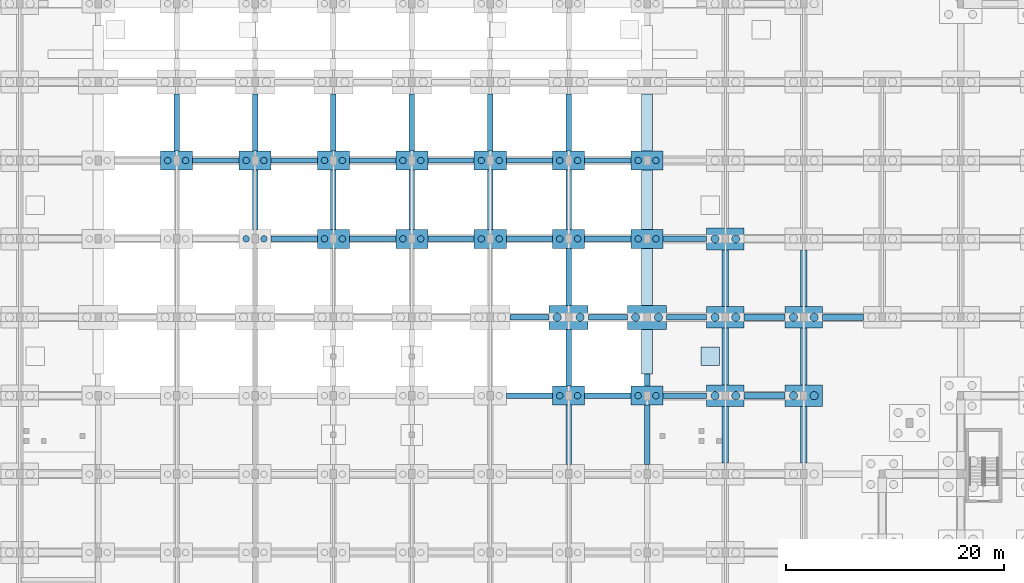
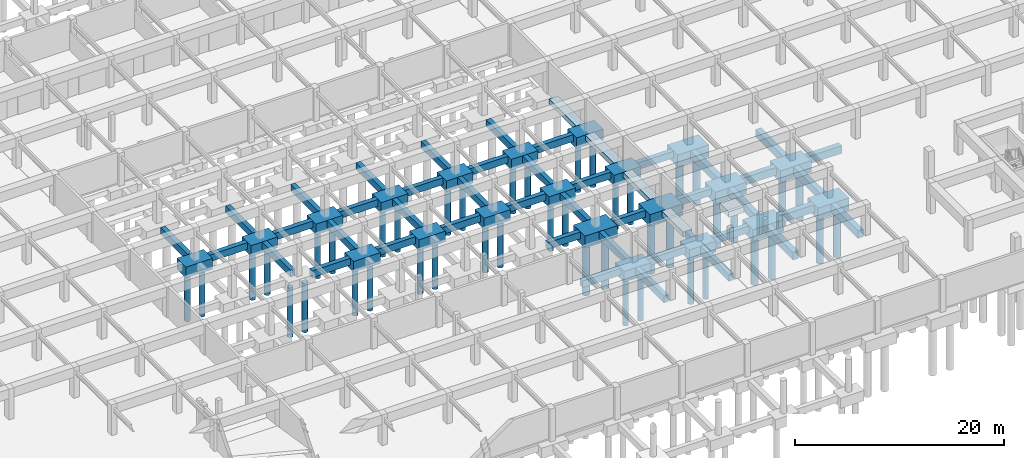
# One storey, part 6 of 36: 69 footings, 44 piles.
"""IFC4 building model written with IfcOpenShell, lengths in metres."""

import ifcopenshell
import ifcopenshell.guid

model = None  # the IFC model being written
_history = None  # IfcOwnerHistory: only IFC2X3 demands one
_inside = {}  # id of a spatial element -> (the spatial element, [elements in it])
_under = {}  # id of a project, library or spatial element -> (it, [spatial elements below it])
_declared = {}  # id of a project -> (the project, [libraries it declares])
_typed = {}  # id of a type object -> (the type object, [elements of that type])
_made_of = {}  # id of a material, layer set ... -> (it, [elements and type objects made of it])


def new_model(schema):
    """Start an empty IFC model of exactly this schema.

    Asked for "IFC4X3", IfcOpenShell would pick the latest addendum, in which some entities
    have other attributes; the version numbers below select the first issue.
    IFC2X3 requires an IfcOwnerHistory on every rooted entity: one is made here for all.
    """
    global model, _history
    if schema == "IFC4X3":
        model = ifcopenshell.file(schema_version=(4, 3, 0, 0))
    else:
        model = ifcopenshell.file(schema=schema)
    _inside.clear()
    _under.clear()
    _declared.clear()
    _typed.clear()
    _made_of.clear()
    _history = None
    if model.schema == "IFC2X3":
        org = make("IfcOrganization", Name="unknown")
        user = make(
            "IfcPersonAndOrganization",
            ThePerson=make("IfcPerson", FamilyName="unknown"),
            TheOrganization=org,
        )
        app = make(
            "IfcApplication",
            ApplicationDeveloper=org,
            Version="unknown",
            ApplicationFullName="unknown",
            ApplicationIdentifier="unknown",
        )
        _history = make(
            "IfcOwnerHistory",
            OwningUser=user,
            OwningApplication=app,
            ChangeAction="ADDED",
            CreationDate=0,
        )
    return model


def make(cls, **values):
    """One entity of the class cls with the attributes given. An attribute that is None is left unset."""
    return model.create_entity(
        cls, **{name: value for name, value in values.items() if value is not None}
    )


def rooted(cls, **values):
    """An entity with a GlobalId (a new one), such as an element, a storey or a relation."""
    return make(cls, GlobalId=ifcopenshell.guid.new(), OwnerHistory=_history, **values)


def si_unit(unit_type, name, prefix=None):
    """IfcSIUnit, for example si_unit("LENGTHUNIT", "METRE", prefix="MILLI")."""
    return make("IfcSIUnit", UnitType=unit_type, Prefix=prefix, Name=name)


def assignment(units):
    """IfcUnitAssignment: the units of a project."""
    return None if units is None else make("IfcUnitAssignment", Units=units)


def point(xyz):
    """IfcCartesianPoint."""
    return None if xyz is None else make("IfcCartesianPoint", Coordinates=xyz)


def direction(xyz):
    """IfcDirection."""
    return None if xyz is None else make("IfcDirection", DirectionRatios=xyz)


def frame(location, z_axis=None, x_axis=None):
    """IfcAxis2Placement3D, a coordinate frame: its origin and axes. An axis left out is left unset."""
    return make(
        "IfcAxis2Placement3D",
        Location=point(location),
        Axis=direction(z_axis),
        RefDirection=direction(x_axis),
    )


def frame_2d(location, x_axis=None):
    """IfcAxis2Placement2D, a coordinate frame in the plane: its origin and x axis."""
    return make(
        "IfcAxis2Placement2D", Location=point(location), RefDirection=direction(x_axis)
    )


def origin():
    """The frame at (0, 0, 0) with its axes left unset."""
    return frame((0.0, 0.0, 0.0))


def origin_2d():
    """The frame at (0, 0) in the plane with its x axis left unset."""
    return frame_2d((0.0, 0.0))


def place(relative_to, where):
    """IfcLocalPlacement: puts the frame where relative to a parent placement (None: the world)."""
    return make(
        "IfcLocalPlacement", PlacementRelTo=relative_to, RelativePlacement=where
    )


def context(
    kind, dimensions, precision=None, world=None, true_north=None, identifier=None
):
    """IfcGeometricRepresentationContext, for example the 3D "Model" context."""
    return make(
        "IfcGeometricRepresentationContext",
        ContextIdentifier=identifier,
        ContextType=kind,
        CoordinateSpaceDimension=dimensions,
        Precision=precision,
        WorldCoordinateSystem=world,
        TrueNorth=true_north,
    )


def subcontext(parent, identifier, kind, view, scale=None):
    """IfcGeometricRepresentationSubContext, for example "Body" below "Model"."""
    return make(
        "IfcGeometricRepresentationSubContext",
        ContextIdentifier=identifier,
        ContextType=kind,
        ParentContext=parent,
        TargetScale=scale,
        TargetView=view,
    )


def project(units=None, contexts=None):
    """IfcProject with its units and contexts."""
    return rooted(
        "IfcProject",
        Name="project",
        RepresentationContexts=contexts,
        UnitsInContext=assignment(units),
    )


def spatial(cls, under=None, at=None, **own):
    """A site, building, storey or space (cls), placed at a placement, below another one or the project."""
    s = rooted(cls, ObjectPlacement=at, **own)
    if under is not None:
        _under.setdefault(under.id(), (under, []))[1].append(s)
    return s


def profile(cls, at=None, kind="AREA", **sizes):
    """A parametric profile (cls). Its sizes go by their IFC names, for example OverallWidth=200.0."""
    return make(cls, ProfileType=kind, Position=at, **sizes)


def rectangle(**sizes):
    """IfcRectangleProfileDef."""
    return profile("IfcRectangleProfileDef", **sizes)


def circle(**sizes):
    """IfcCircleProfileDef."""
    return profile("IfcCircleProfileDef", **sizes)


def extrude(swept, where, along, depth):
    """IfcExtrudedAreaSolid: the profile swept, set in the frame where, extruded along a direction by depth."""
    return make(
        "IfcExtrudedAreaSolid",
        SweptArea=swept,
        Position=where,
        ExtrudedDirection=direction(along),
        Depth=depth,
    )


def shape(context_of_items, identifier, shape_type, items):
    """IfcShapeRepresentation: the items that make up one representation, for example the "Body"."""
    return make(
        "IfcShapeRepresentation",
        ContextOfItems=context_of_items,
        RepresentationIdentifier=identifier,
        RepresentationType=shape_type,
        Items=items,
    )


def material(Name=None, Category=None):
    """IfcMaterial."""
    return make("IfcMaterial", Name=Name, Category=Category)


def material_profile(
    of_material, cross_section, Name=None, Category=None, Priority=None
):
    """IfcMaterialProfile: a cross section and its material."""
    return make(
        "IfcMaterialProfile",
        Name=Name,
        Material=of_material,
        Profile=cross_section,
        Priority=Priority,
        Category=Category,
    )


def profile_set(profiles, Name=None, composite=None):
    """IfcMaterialProfileSet."""
    return make(
        "IfcMaterialProfileSet",
        Name=Name,
        MaterialProfiles=profiles,
        CompositeProfile=composite,
    )


def made_of(thing, what):
    """Note that an element or type object is made of a material, layer set ...; save() writes the relation."""
    if what is not None:
        _made_of.setdefault(what.id(), (what, []))[1].append(thing)
    return thing


def type_object(cls, material=None, **own):
    """A type object (cls), such as IfcWallType, which elements share."""
    return made_of(rooted(cls, **own), material)


def element(
    cls,
    number,
    at=None,
    inside=None,
    cuts=None,
    type_object=None,
    material=None,
    context=None,
    identifier="Body",
    shape_type=None,
    held_by="IfcProductDefinitionShape",
    body=None,
    shapes=None,
    **own,
):
    """One element of the class cls, such as IfcWall. Its Tag is "e" and its number.

    at: its placement. inside: the storey or other place that contains it. cuts: it is an
    opening in that element (IfcRelVoidsElement). A single representation is given by context,
    identifier, shape_type and body (its items); several are given by shapes. held_by: the class
    of the entity that holds the representations. save() writes the other relations.
    """
    e = rooted(cls, Tag="e%d" % number, ObjectPlacement=at, **own)
    if body is not None:
        shapes = [shape(context, identifier, shape_type, body)]
    if shapes is not None:
        e.Representation = make(held_by, Representations=shapes)
    if inside is not None:
        _inside.setdefault(inside.id(), (inside, []))[1].append(e)
    if cuts is not None:
        rooted(
            "IfcRelVoidsElement", RelatingBuildingElement=cuts, RelatedOpeningElement=e
        )
    if type_object is not None:
        _typed.setdefault(type_object.id(), (type_object, []))[1].append(e)
    return made_of(e, material)


def aggregate(whole, parts):
    """IfcRelAggregates: a whole, such as a stair, and the parts it consists of."""
    return rooted("IfcRelAggregates", RelatingObject=whole, RelatedObjects=parts)


def save(model, path):
    """Write the relations noted so far, then the file.

    IfcRelAggregates (storeys below a building ...), IfcRelContainedInSpatialStructure (elements
    in a storey), IfcRelDefinesByType, IfcRelAssociatesMaterial and IfcRelDeclares: one each for
    every whole, place, type object, material and project.
    """
    for whole, parts in _under.values():
        aggregate(whole, parts)
    for where, things in _inside.values():
        rooted(
            "IfcRelContainedInSpatialStructure",
            RelatedElements=things,
            RelatingStructure=where,
        )
    for kind, things in _typed.values():
        rooted("IfcRelDefinesByType", RelatedObjects=things, RelatingType=kind)
    for what, things in _made_of.values():
        rooted("IfcRelAssociatesMaterial", RelatedObjects=things, RelatingMaterial=what)
    for by, libraries in _declared.values():
        rooted("IfcRelDeclares", RelatingContext=by, RelatedDefinitions=libraries)
    model.write(path)


model = new_model("IFC4")

# Units and contexts
model_context = context("Model", 3, precision=1e-05, world=origin(), true_north=direction((0.0, 1.0)))
body_context = subcontext(model_context, "Body", "Model", "MODEL_VIEW")
ifc_project = project(units=[si_unit("LENGTHUNIT", "METRE"), si_unit("AREAUNIT", "SQUARE_METRE"), si_unit("VOLUMEUNIT", "CUBIC_METRE"), si_unit("PLANEANGLEUNIT", "RADIAN"), si_unit("MASSUNIT", "GRAM", prefix="KILO")], contexts=[model_context])

# Site, building, storey
site_placement = place(None, origin())
site = spatial("IfcSite", under=ifc_project, at=site_placement, CompositionType="ELEMENT")
building_placement = place(site_placement, origin())
building = spatial("IfcBuilding", under=site, at=building_placement, Name="Ochrevale Crest", CompositionType="ELEMENT")
storey_placement = place(building_placement, frame((0.0, 0.0, -3.60009765625)))
storey = spatial("IfcBuildingStorey", under=building, at=storey_placement, Name="B1", CompositionType="ELEMENT", Elevation=-3.60009765625)

# Footings
ifc_material = material(Name="Concrete C40/50", Category="concrete")
footing_type_1 = type_object("IfcFootingType", Name="CAP-PC11", PredefinedType="PILE_CAP", material=ifc_material)
for number, where, z_axis, x_axis, name in (
    (1, (100.800048828125, 43.199951171875, -1.659912109375), (0.0, 0.0, 1.0), (1.0, 0.0, 0.0), "Pile cap PC11-201"),
    (2, (108.0, 43.199951171875, -1.659912109375), (0.0, 0.0, 1.0), (1.0, 0.0, 0.0), "Pile cap PC11-217"),
):
    element("IfcFooting", number, at=place(storey_placement, frame(where, z_axis=z_axis, x_axis=x_axis)), inside=storey, type_object=footing_type_1, Name=name, PredefinedType="PILE_CAP", context=body_context, shape_type="SweptSolid", body=[
        extrude(rectangle(XDim=3.60009765625, YDim=2.199951171875, at=origin_2d()), origin(), (0.0, 0.0, 1.0), 1.39990234375),
    ])
footing_type_2 = type_object("IfcFootingType", Name="CAP-PC12", PredefinedType="PILE_CAP", material=ifc_material)
for number, where, z_axis, x_axis, name in (
    (3, (115.199951171875, 36.0, -1.60986328125), (0.0, 0.0, 1.0), (1.0, 0.0, 0.0), "Pile cap PC12-231"),
    (4, (115.199951171875, 43.199951171875, -1.60986328125), (0.0, 0.0, 1.0), (1.0, 0.0, 0.0), "Pile cap PC12-232"),
    (5, (115.199951171875, 50.39990234375, -1.60986328125), (0.0, 0.0, 1.0), (1.0, 0.0, 0.0), "Pile cap PC12-233"),
    (6, (122.39990234375, 36.0, -1.60986328125), (0.0, 0.0, 1.0), (1.0, 0.0, 0.0), "Pile cap PC12-243"),
    (7, (122.39990234375, 43.199951171875, -1.60986328125), (0.0, 0.0, 1.0), (1.0, 0.0, 0.0), "Pile cap PC12-244"),
):
    element("IfcFooting", number, at=place(storey_placement, frame(where, z_axis=z_axis, x_axis=x_axis)), inside=storey, type_object=footing_type_2, Name=name, PredefinedType="PILE_CAP", context=body_context, shape_type="SweptSolid", body=[
        extrude(rectangle(XDim=3.449951171875, YDim=2.0, at=origin_2d()), origin(), (0.0, 0.0, 1.0), 1.35009765625),
    ])
footing_type_3 = type_object("IfcFootingType", Name="CAP-PC14", PredefinedType="PILE_CAP", material=ifc_material)
for number, where, z_axis, x_axis, name in (
    (8, (64.800048828125, 57.60009765625, -1.510009765625), (0.0, 0.0, 1.0), (1.0, 0.0, 0.0), "Pile cap PC14-121"),
    (9, (72.0, 57.60009765625, -1.510009765625), (0.0, 0.0, 1.0), (1.0, 0.0, 0.0), "Pile cap PC14-137"),
    (10, (79.199951171875, 50.39990234375, -1.510009765625), (0.0, 0.0, 1.0), (1.0, 0.0, 0.0), "Pile cap PC14-153"),
    (11, (79.199951171875, 57.60009765625, -1.510009765625), (0.0, 0.0, 1.0), (1.0, 0.0, 0.0), "Pile cap PC14-154"),
    (12, (86.39990234375, 50.39990234375, -1.510009765625), (0.0, 0.0, 1.0), (1.0, 0.0, 0.0), "Pile cap PC14-170"),
    (13, (86.39990234375, 57.60009765625, -1.510009765625), (0.0, 0.0, 1.0), (1.0, 0.0, 0.0), "Pile cap PC14-171"),
    (14, (93.60009765625, 50.39990234375, -1.510009765625), (0.0, 0.0, 1.0), (1.0, 0.0, 0.0), "Pile cap PC14-186"),
    (15, (93.60009765625, 57.60009765625, -1.510009765625), (0.0, 0.0, 1.0), (1.0, 0.0, 0.0), "Pile cap PC14-187"),
    (16, (100.800048828125, 36.0, -1.510009765625), (0.0, 0.0, 1.0), (1.0, 0.0, 0.0), "Pile cap PC14-200"),
    (17, (100.800048828125, 50.39990234375, -1.510009765625), (0.0, 0.0, 1.0), (1.0, 0.0, 0.0), "Pile cap PC14-202"),
    (18, (100.800048828125, 57.60009765625, -1.510009765625), (0.0, 0.0, 1.0), (1.0, 0.0, 0.0), "Pile cap PC14-203"),
    (19, (108.0, 36.0, -1.510009765625), (0.0, 0.0, 1.0), (1.0, 0.0, 0.0), "Pile cap PC14-216"),
    (20, (108.0, 50.39990234375, -1.510009765625), (0.0, 0.0, 1.0), (1.0, 0.0, 0.0), "Pile cap PC14-218"),
    (21, (108.0, 57.60009765625, -1.510009765625), (0.0, 0.0, 1.0), (1.0, 0.0, 0.0), "Pile cap PC14-219"),
):
    element("IfcFooting", number, at=place(storey_placement, frame(where, z_axis=z_axis, x_axis=x_axis)), inside=storey, type_object=footing_type_3, Name=name, PredefinedType="PILE_CAP", context=body_context, shape_type="SweptSolid", body=[
        extrude(rectangle(XDim=2.949951171875, YDim=1.75, at=origin_2d()), origin(), (0.0, 0.0, 1.0), 1.25),
    ])
ifc_material_profile_1 = material_profile(ifc_material, rectangle(XDim=0.5, YDim=0.800048828125, at=origin_2d()), Name="GB 500x800")
ifc_profile_set_1 = profile_set([ifc_material_profile_1], Name="Concrete C40/50")
footing_type_4 = type_object("IfcFootingType", Name="FTG-GB500x800", PredefinedType="FOOTING_BEAM", material=ifc_profile_set_1)
footing_1_placement = place(storey_placement, frame((66.277099609375, 57.60009765625, -0.659912109375), z_axis=(1.0, 0.0, 0.0), x_axis=(0.0, 1.0, 0.0)))
element("IfcFooting", 22, at=footing_1_placement, inside=storey, type_object=footing_type_4, Name="Foundation tie beam GB2-208", PredefinedType="FOOTING_BEAM", context=body_context, shape_type="SweptSolid", body=[
    extrude(rectangle(XDim=0.5, YDim=0.800048828125, at=origin_2d()), origin(), (0.0, 0.0, 1.0), 4.245849609375),
])
footing_2_placement = place(storey_placement, frame((64.800048828125, 58.47705078125, -0.659912109375), z_axis=(0.0, 1.0, 0.0), x_axis=(-1.0, 0.0, 0.0)))
element("IfcFooting", 23, at=footing_2_placement, inside=storey, type_object=footing_type_4, Name="Foundation tie beam GB2-209", PredefinedType="FOOTING_BEAM", context=body_context, shape_type="SweptSolid", body=[
    extrude(rectangle(XDim=0.5, YDim=0.800048828125, at=origin_2d()), origin(), (0.0, 0.0, 1.0), 5.220947265625),
])
footing_3_placement = place(storey_placement, frame((73.47705078125, 50.39990234375, -0.659912109375), z_axis=(1.0, 0.0, 0.0), x_axis=(0.0, 1.0, 0.0)))
element("IfcFooting", 24, at=footing_3_placement, inside=storey, type_object=footing_type_4, Name="Foundation tie beam GB2-237", PredefinedType="FOOTING_BEAM", context=body_context, shape_type="SweptSolid", body=[
    extrude(rectangle(XDim=0.5, YDim=0.800048828125, at=origin_2d()), origin(), (0.0, 0.0, 1.0), 4.245849609375),
])
footing_4_placement = place(storey_placement, frame((72.0, 51.277099609375, -0.659912109375), z_axis=(0.0, 1.0, 0.0), x_axis=(-1.0, 0.0, 0.0)))
element("IfcFooting", 25, at=footing_4_placement, inside=storey, type_object=footing_type_4, Name="Foundation tie beam GB2-238", PredefinedType="FOOTING_BEAM", context=body_context, shape_type="SweptSolid", body=[
    extrude(rectangle(XDim=0.5, YDim=0.800048828125, at=origin_2d()), origin(), (0.0, 0.0, 1.0), 5.44580078125),
])
footing_5_placement = place(storey_placement, frame((73.47705078125, 57.60009765625, -0.659912109375), z_axis=(1.0, 0.0, 0.0), x_axis=(0.0, 1.0, 0.0)))
element("IfcFooting", 26, at=footing_5_placement, inside=storey, type_object=footing_type_4, Name="Foundation tie beam GB2-239", PredefinedType="FOOTING_BEAM", context=body_context, shape_type="SweptSolid", body=[
    extrude(rectangle(XDim=0.5, YDim=0.800048828125, at=origin_2d()), origin(), (0.0, 0.0, 1.0), 4.245849609375),
])
footing_6_placement = place(storey_placement, frame((72.0, 58.47705078125, -0.659912109375), z_axis=(0.0, 1.0, 0.0), x_axis=(-1.0, 0.0, 0.0)))
element("IfcFooting", 27, at=footing_6_placement, inside=storey, type_object=footing_type_4, Name="Foundation tie beam GB2-240", PredefinedType="FOOTING_BEAM", context=body_context, shape_type="SweptSolid", body=[
    extrude(rectangle(XDim=0.5, YDim=0.800048828125, at=origin_2d()), origin(), (0.0, 0.0, 1.0), 5.220947265625),
])
footing_7_placement = place(storey_placement, frame((80.677001953125, 50.39990234375, -0.659912109375), z_axis=(1.0, 0.0, 0.0), x_axis=(0.0, 1.0, 0.0)))
element("IfcFooting", 28, at=footing_7_placement, inside=storey, type_object=footing_type_4, Name="Foundation tie beam GB2-270", PredefinedType="FOOTING_BEAM", context=body_context, shape_type="SweptSolid", body=[
    extrude(rectangle(XDim=0.5, YDim=0.800048828125, at=origin_2d()), origin(), (0.0, 0.0, 1.0), 4.24609375),
])
footing_8_placement = place(storey_placement, frame((79.199951171875, 51.277099609375, -0.659912109375), z_axis=(0.0, 1.0, 0.0), x_axis=(-1.0, 0.0, 0.0)))
element("IfcFooting", 29, at=footing_8_placement, inside=storey, type_object=footing_type_4, Name="Foundation tie beam GB2-271", PredefinedType="FOOTING_BEAM", context=body_context, shape_type="SweptSolid", body=[
    extrude(rectangle(XDim=0.5, YDim=0.800048828125, at=origin_2d()), origin(), (0.0, 0.0, 1.0), 5.44580078125),
])
footing_9_placement = place(storey_placement, frame((80.677001953125, 57.60009765625, -0.659912109375), z_axis=(1.0, 0.0, 0.0), x_axis=(0.0, 1.0, 0.0)))
element("IfcFooting", 30, at=footing_9_placement, inside=storey, type_object=footing_type_4, Name="Foundation tie beam GB2-272", PredefinedType="FOOTING_BEAM", context=body_context, shape_type="SweptSolid", body=[
    extrude(rectangle(XDim=0.5, YDim=0.800048828125, at=origin_2d()), origin(), (0.0, 0.0, 1.0), 4.24609375),
])
footing_10_placement = place(storey_placement, frame((79.199951171875, 58.47705078125, -0.659912109375), z_axis=(0.0, 1.0, 0.0), x_axis=(-1.0, 0.0, 0.0)))
element("IfcFooting", 31, at=footing_10_placement, inside=storey, type_object=footing_type_4, Name="Foundation tie beam GB2-273", PredefinedType="FOOTING_BEAM", context=body_context, shape_type="SweptSolid", body=[
    extrude(rectangle(XDim=0.5, YDim=0.800048828125, at=origin_2d()), origin(), (0.0, 0.0, 1.0), 5.220947265625),
])
footing_11_placement = place(storey_placement, frame((87.876953125, 50.39990234375, -0.659912109375), z_axis=(1.0, 0.0, 0.0), x_axis=(0.0, 1.0, 0.0)))
element("IfcFooting", 32, at=footing_11_placement, inside=storey, type_object=footing_type_4, Name="Foundation tie beam GB2-302", PredefinedType="FOOTING_BEAM", context=body_context, shape_type="SweptSolid", body=[
    extrude(rectangle(XDim=0.5, YDim=0.800048828125, at=origin_2d()), origin(), (0.0, 0.0, 1.0), 4.24609375),
])
footing_12_placement = place(storey_placement, frame((86.39990234375, 51.277099609375, -0.659912109375), z_axis=(0.0, 1.0, 0.0), x_axis=(-1.0, 0.0, 0.0)))
element("IfcFooting", 33, at=footing_12_placement, inside=storey, type_object=footing_type_4, Name="Foundation tie beam GB2-303", PredefinedType="FOOTING_BEAM", context=body_context, shape_type="SweptSolid", body=[
    extrude(rectangle(XDim=0.5, YDim=0.800048828125, at=origin_2d()), origin(), (0.0, 0.0, 1.0), 5.44580078125),
])
footing_13_placement = place(storey_placement, frame((87.876953125, 57.60009765625, -0.659912109375), z_axis=(1.0, 0.0, 0.0), x_axis=(0.0, 1.0, 0.0)))
element("IfcFooting", 34, at=footing_13_placement, inside=storey, type_object=footing_type_4, Name="Foundation tie beam GB2-304", PredefinedType="FOOTING_BEAM", context=body_context, shape_type="SweptSolid", body=[
    extrude(rectangle(XDim=0.5, YDim=0.800048828125, at=origin_2d()), origin(), (0.0, 0.0, 1.0), 4.24609375),
])
footing_14_placement = place(storey_placement, frame((86.39990234375, 58.47705078125, -0.659912109375), z_axis=(0.0, 1.0, 0.0), x_axis=(-1.0, 0.0, 0.0)))
element("IfcFooting", 35, at=footing_14_placement, inside=storey, type_object=footing_type_4, Name="Foundation tie beam GB2-305", PredefinedType="FOOTING_BEAM", context=body_context, shape_type="SweptSolid", body=[
    extrude(rectangle(XDim=0.5, YDim=0.800048828125, at=origin_2d()), origin(), (0.0, 0.0, 1.0), 5.220947265625),
])
footing_15_placement = place(storey_placement, frame((95.076904296875, 36.0, -0.659912109375), z_axis=(1.0, 0.0, 0.0), x_axis=(0.0, 1.0, 0.0)))
element("IfcFooting", 36, at=footing_15_placement, inside=storey, type_object=footing_type_4, Name="Foundation tie beam GB2-329", PredefinedType="FOOTING_BEAM", context=body_context, shape_type="SweptSolid", body=[
    extrude(rectangle(XDim=0.5, YDim=0.800048828125, at=origin_2d()), origin(), (0.0, 0.0, 1.0), 4.24609375),
])
footing_16_placement = place(storey_placement, frame((95.402099609375, 43.199951171875, -0.659912109375), z_axis=(1.0, 0.0, 0.0), x_axis=(0.0, 1.0, 0.0)))
element("IfcFooting", 37, at=footing_16_placement, inside=storey, type_object=footing_type_4, Name="Foundation tie beam GB2-331", PredefinedType="FOOTING_BEAM", context=body_context, shape_type="SweptSolid", body=[
    extrude(rectangle(XDim=0.5, YDim=0.800048828125, at=origin_2d()), origin(), (0.0, 0.0, 1.0), 3.595947265625),
])
footing_17_placement = place(storey_placement, frame((95.076904296875, 50.39990234375, -0.659912109375), z_axis=(1.0, 0.0, 0.0), x_axis=(0.0, 1.0, 0.0)))
element("IfcFooting", 38, at=footing_17_placement, inside=storey, type_object=footing_type_4, Name="Foundation tie beam GB2-333", PredefinedType="FOOTING_BEAM", context=body_context, shape_type="SweptSolid", body=[
    extrude(rectangle(XDim=0.5, YDim=0.800048828125, at=origin_2d()), origin(), (0.0, 0.0, 1.0), 4.24609375),
])
footing_18_placement = place(storey_placement, frame((93.60009765625, 51.277099609375, -0.659912109375), z_axis=(0.0, 1.0, 0.0), x_axis=(-1.0, 0.0, 0.0)))
element("IfcFooting", 39, at=footing_18_placement, inside=storey, type_object=footing_type_4, Name="Foundation tie beam GB2-334", PredefinedType="FOOTING_BEAM", context=body_context, shape_type="SweptSolid", body=[
    extrude(rectangle(XDim=0.5, YDim=0.800048828125, at=origin_2d()), origin(), (0.0, 0.0, 1.0), 5.44580078125),
])
footing_19_placement = place(storey_placement, frame((95.076904296875, 57.60009765625, -0.659912109375), z_axis=(1.0, 0.0, 0.0), x_axis=(0.0, 1.0, 0.0)))
element("IfcFooting", 40, at=footing_19_placement, inside=storey, type_object=footing_type_4, Name="Foundation tie beam GB2-335", PredefinedType="FOOTING_BEAM", context=body_context, shape_type="SweptSolid", body=[
    extrude(rectangle(XDim=0.5, YDim=0.800048828125, at=origin_2d()), origin(), (0.0, 0.0, 1.0), 4.24609375),
])
footing_20_placement = place(storey_placement, frame((93.60009765625, 58.47705078125, -0.659912109375), z_axis=(0.0, 1.0, 0.0), x_axis=(-1.0, 0.0, 0.0)))
element("IfcFooting", 41, at=footing_20_placement, inside=storey, type_object=footing_type_4, Name="Foundation tie beam GB2-336", PredefinedType="FOOTING_BEAM", context=body_context, shape_type="SweptSolid", body=[
    extrude(rectangle(XDim=0.5, YDim=0.800048828125, at=origin_2d()), origin(), (0.0, 0.0, 1.0), 5.220947265625),
])
footing_21_placement = place(storey_placement, frame((100.800048828125, 29.677001953125, -0.659912109375), z_axis=(0.0, 1.0, 0.0), x_axis=(-1.0, 0.0, 0.0)))
element("IfcFooting", 42, at=footing_21_placement, inside=storey, type_object=footing_type_4, Name="Foundation tie beam GB2-359", PredefinedType="FOOTING_BEAM", context=body_context, shape_type="SweptSolid", body=[
    extrude(rectangle(XDim=0.5, YDim=0.800048828125, at=origin_2d()), origin(), (0.0, 0.0, 1.0), 5.446044921875),
])
footing_22_placement = place(storey_placement, frame((102.277099609375, 36.0, -0.659912109375), z_axis=(1.0, 0.0, 0.0), x_axis=(0.0, 1.0, 0.0)))
element("IfcFooting", 43, at=footing_22_placement, inside=storey, type_object=footing_type_4, Name="Foundation tie beam GB2-360", PredefinedType="FOOTING_BEAM", context=body_context, shape_type="SweptSolid", body=[
    extrude(rectangle(XDim=0.5, YDim=0.800048828125, at=origin_2d()), origin(), (0.0, 0.0, 1.0), 4.245849609375),
])
footing_23_placement = place(storey_placement, frame((100.800048828125, 36.876953125, -0.659912109375), z_axis=(0.0, 1.0, 0.0), x_axis=(-1.0, 0.0, 0.0)))
element("IfcFooting", 44, at=footing_23_placement, inside=storey, type_object=footing_type_4, Name="Foundation tie beam GB2-361", PredefinedType="FOOTING_BEAM", context=body_context, shape_type="SweptSolid", body=[
    extrude(rectangle(XDim=0.5, YDim=0.800048828125, at=origin_2d()), origin(), (0.0, 0.0, 1.0), 5.220947265625),
])
footing_24_placement = place(storey_placement, frame((102.60205078125, 43.199951171875, -0.659912109375), z_axis=(1.0, 0.0, 0.0), x_axis=(0.0, 1.0, 0.0)))
element("IfcFooting", 45, at=footing_24_placement, inside=storey, type_object=footing_type_4, Name="Foundation tie beam GB2-362", PredefinedType="FOOTING_BEAM", context=body_context, shape_type="SweptSolid", body=[
    extrude(rectangle(XDim=0.5, YDim=0.800048828125, at=origin_2d()), origin(), (0.0, 0.0, 1.0), 3.595947265625),
])
footing_25_placement = place(storey_placement, frame((100.800048828125, 44.302001953125, -0.659912109375), z_axis=(0.0, 1.0, 0.0), x_axis=(-1.0, 0.0, 0.0)))
element("IfcFooting", 46, at=footing_25_placement, inside=storey, type_object=footing_type_4, Name="Foundation tie beam GB2-363", PredefinedType="FOOTING_BEAM", context=body_context, shape_type="SweptSolid", body=[
    extrude(rectangle(XDim=0.5, YDim=0.800048828125, at=origin_2d()), origin(), (0.0, 0.0, 1.0), 5.220947265625),
])
footing_26_placement = place(storey_placement, frame((102.277099609375, 50.39990234375, -0.659912109375), z_axis=(1.0, 0.0, 0.0), x_axis=(0.0, 1.0, 0.0)))
element("IfcFooting", 47, at=footing_26_placement, inside=storey, type_object=footing_type_4, Name="Foundation tie beam GB2-364", PredefinedType="FOOTING_BEAM", context=body_context, shape_type="SweptSolid", body=[
    extrude(rectangle(XDim=0.5, YDim=0.800048828125, at=origin_2d()), origin(), (0.0, 0.0, 1.0), 4.245849609375),
])
footing_27_placement = place(storey_placement, frame((100.800048828125, 51.277099609375, -0.659912109375), z_axis=(0.0, 1.0, 0.0), x_axis=(-1.0, 0.0, 0.0)))
element("IfcFooting", 48, at=footing_27_placement, inside=storey, type_object=footing_type_4, Name="Foundation tie beam GB2-365", PredefinedType="FOOTING_BEAM", context=body_context, shape_type="SweptSolid", body=[
    extrude(rectangle(XDim=0.5, YDim=0.800048828125, at=origin_2d()), origin(), (0.0, 0.0, 1.0), 5.44580078125),
])
footing_28_placement = place(storey_placement, frame((102.277099609375, 57.60009765625, -0.659912109375), z_axis=(1.0, 0.0, 0.0), x_axis=(0.0, 1.0, 0.0)))
element("IfcFooting", 49, at=footing_28_placement, inside=storey, type_object=footing_type_4, Name="Foundation tie beam GB2-366", PredefinedType="FOOTING_BEAM", context=body_context, shape_type="SweptSolid", body=[
    extrude(rectangle(XDim=0.5, YDim=0.800048828125, at=origin_2d()), origin(), (0.0, 0.0, 1.0), 4.245849609375),
])
footing_29_placement = place(storey_placement, frame((100.800048828125, 58.47705078125, -0.659912109375), z_axis=(0.0, 1.0, 0.0), x_axis=(-1.0, 0.0, 0.0)))
element("IfcFooting", 50, at=footing_29_placement, inside=storey, type_object=footing_type_4, Name="Foundation tie beam GB2-367", PredefinedType="FOOTING_BEAM", context=body_context, shape_type="SweptSolid", body=[
    extrude(rectangle(XDim=0.5, YDim=0.800048828125, at=origin_2d()), origin(), (0.0, 0.0, 1.0), 5.220947265625),
])
footing_30_placement = place(storey_placement, frame((108.0, 29.677001953125, -0.659912109375), z_axis=(0.0, 1.0, 0.0), x_axis=(-1.0, 0.0, 0.0)))
element("IfcFooting", 51, at=footing_30_placement, inside=storey, type_object=footing_type_4, Name="Foundation tie beam GB2-389", PredefinedType="FOOTING_BEAM", context=body_context, shape_type="SweptSolid", body=[
    extrude(rectangle(XDim=0.5, YDim=0.800048828125, at=origin_2d()), origin(), (0.0, 0.0, 1.0), 5.446044921875),
])
footing_31_placement = place(storey_placement, frame((109.47705078125, 36.0, -0.659912109375), z_axis=(1.0, 0.0, 0.0), x_axis=(0.0, 1.0, 0.0)))
element("IfcFooting", 52, at=footing_31_placement, inside=storey, type_object=footing_type_4, Name="Foundation tie beam GB2-390", PredefinedType="FOOTING_BEAM", context=body_context, shape_type="SweptSolid", body=[
    extrude(rectangle(XDim=0.5, YDim=0.800048828125, at=origin_2d()), origin(), (0.0, 0.0, 1.0), 3.995849609375),
])
footing_32_placement = place(storey_placement, frame((108.0, 36.876953125, -0.659912109375), z_axis=(0.0, 1.0, 0.0), x_axis=(-1.0, 0.0, 0.0)))
element("IfcFooting", 53, at=footing_32_placement, inside=storey, type_object=footing_type_4, Name="Foundation tie beam GB2-391", PredefinedType="FOOTING_BEAM", context=body_context, shape_type="SweptSolid", body=[
    extrude(rectangle(XDim=0.5, YDim=0.800048828125, at=origin_2d()), origin(), (0.0, 0.0, 1.0), 1.12109375),
])
footing_33_placement = place(storey_placement, frame((109.802001953125, 43.199951171875, -0.659912109375), z_axis=(1.0, 0.0, 0.0), x_axis=(0.0, 1.0, 0.0)))
element("IfcFooting", 54, at=footing_33_placement, inside=storey, type_object=footing_type_4, Name="Foundation tie beam GB2-392", PredefinedType="FOOTING_BEAM", context=body_context, shape_type="SweptSolid", body=[
    extrude(rectangle(XDim=0.5, YDim=0.800048828125, at=origin_2d()), origin(), (0.0, 0.0, 1.0), 3.6708984375),
])
footing_34_placement = place(storey_placement, frame((109.47705078125, 50.39990234375, -0.659912109375), z_axis=(1.0, 0.0, 0.0), x_axis=(0.0, 1.0, 0.0)))
element("IfcFooting", 55, at=footing_34_placement, inside=storey, type_object=footing_type_4, Name="Foundation tie beam GB2-394", PredefinedType="FOOTING_BEAM", context=body_context, shape_type="SweptSolid", body=[
    extrude(rectangle(XDim=0.5, YDim=0.800048828125, at=origin_2d()), origin(), (0.0, 0.0, 1.0), 3.995849609375),
])
ifc_material_profile_2 = material_profile(ifc_material, rectangle(XDim=0.60009765625, YDim=0.89990234375, at=origin_2d()), Name="GB 600x900")
ifc_profile_set_2 = profile_set([ifc_material_profile_2], Name="Concrete C40/50")
footing_type_5 = type_object("IfcFootingType", Name="FTG-GB600x900", PredefinedType="FOOTING_BEAM", material=ifc_profile_set_2)
footing_35_placement = place(storey_placement, frame((115.199951171875, 29.802001953125, -0.7099609375), z_axis=(0.0, 1.0, 0.0), x_axis=(-1.0, 0.0, 0.0)))
element("IfcFooting", 56, at=footing_35_placement, inside=storey, type_object=footing_type_5, Name="Foundation tie beam GB1-415", PredefinedType="FOOTING_BEAM", context=body_context, shape_type="SweptSolid", body=[
    extrude(rectangle(XDim=0.60009765625, YDim=0.89990234375, at=origin_2d()), origin(), (0.0, 0.0, 1.0), 5.196044921875),
])
footing_36_placement = place(storey_placement, frame((116.927001953125, 36.0, -0.7099609375), z_axis=(1.0, 0.0, 0.0), x_axis=(0.0, 1.0, 0.0)))
element("IfcFooting", 57, at=footing_36_placement, inside=storey, type_object=footing_type_5, Name="Foundation tie beam GB1-416", PredefinedType="FOOTING_BEAM", context=body_context, shape_type="SweptSolid", body=[
    extrude(rectangle(XDim=0.60009765625, YDim=0.89990234375, at=origin_2d()), origin(), (0.0, 0.0, 1.0), 3.74609375),
])
footing_37_placement = place(storey_placement, frame((115.199951171875, 37.001953125, -0.7099609375), z_axis=(0.0, 1.0, 0.0), x_axis=(-1.0, 0.0, 0.0)))
element("IfcFooting", 58, at=footing_37_placement, inside=storey, type_object=footing_type_5, Name="Foundation tie beam GB1-417", PredefinedType="FOOTING_BEAM", context=body_context, shape_type="SweptSolid", body=[
    extrude(rectangle(XDim=0.60009765625, YDim=0.89990234375, at=origin_2d()), origin(), (0.0, 0.0, 1.0), 5.196044921875),
])
footing_38_placement = place(storey_placement, frame((116.927001953125, 43.199951171875, -0.7099609375), z_axis=(1.0, 0.0, 0.0), x_axis=(0.0, 1.0, 0.0)))
element("IfcFooting", 59, at=footing_38_placement, inside=storey, type_object=footing_type_5, Name="Foundation tie beam GB1-418", PredefinedType="FOOTING_BEAM", context=body_context, shape_type="SweptSolid", body=[
    extrude(rectangle(XDim=0.60009765625, YDim=0.89990234375, at=origin_2d()), origin(), (0.0, 0.0, 1.0), 3.74609375),
])
for number, where, z_axis, x_axis, name in (
    (60, (115.199951171875, 44.201904296875, -0.7099609375), (0.0, 1.0, 0.0), (-1.0, 0.0, 0.0), "Foundation tie beam GB1-419"),
    (61, (122.39990234375, 29.802001953125, -0.7099609375), (0.0, 1.0, 0.0), (-1.0, 0.0, 0.0), "Foundation tie beam GB1-437"),
    (62, (122.39990234375, 37.001953125, -0.7099609375), (0.0, 1.0, 0.0), (-1.0, 0.0, 0.0), "Foundation tie beam GB1-438"),
):
    element("IfcFooting", number, at=place(storey_placement, frame(where, z_axis=z_axis, x_axis=x_axis)), inside=storey, type_object=footing_type_5, Name=name, PredefinedType="FOOTING_BEAM", context=body_context, shape_type="SweptSolid", body=[
        extrude(rectangle(XDim=0.60009765625, YDim=0.89990234375, at=origin_2d()), origin(), (0.0, 0.0, 1.0), 5.196044921875),
    ])
footing_39_placement = place(storey_placement, frame((124.126953125, 43.199951171875, -0.7099609375), z_axis=(1.0, 0.0, 0.0), x_axis=(0.0, 1.0, 0.0)))
element("IfcFooting", 63, at=footing_39_placement, inside=storey, type_object=footing_type_5, Name="Foundation tie beam GB1-439", PredefinedType="FOOTING_BEAM", context=body_context, shape_type="SweptSolid", body=[
    extrude(rectangle(XDim=0.60009765625, YDim=0.89990234375, at=origin_2d()), origin(), (0.0, 0.0, 1.0), 3.74609375),
])
footing_40_placement = place(storey_placement, frame((122.39990234375, 44.201904296875, -0.7099609375), z_axis=(0.0, 1.0, 0.0), x_axis=(-1.0, 0.0, 0.0)))
element("IfcFooting", 64, at=footing_40_placement, inside=storey, type_object=footing_type_5, Name="Foundation tie beam GB1-440", PredefinedType="FOOTING_BEAM", context=body_context, shape_type="SweptSolid", body=[
    extrude(rectangle(XDim=0.60009765625, YDim=0.89990234375, at=origin_2d()), origin(), (0.0, 0.0, 1.0), 5.196044921875),
])
footing_type_6 = type_object("IfcFootingType", Name="FTG-PAD03", PredefinedType="PAD_FOOTING", material=ifc_material)
footing_41_placement = place(storey_placement, frame((113.800048828125, 39.60009765625, -0.909912109375), z_axis=(0.0, 0.0, 1.0), x_axis=(1.0, 0.0, 0.0)))
element("IfcFooting", 65, at=footing_41_placement, inside=storey, type_object=footing_type_6, Name="Pad footing PF03 (113.8,39.6)", PredefinedType="PAD_FOOTING", context=body_context, shape_type="SweptSolid", body=[
    extrude(rectangle(XDim=1.699951171875, YDim=1.699951171875, at=origin_2d()), origin(), (0.0, 0.0, 1.0), 0.64990234375),
])
ifc_material_profile_3 = material_profile(ifc_material, rectangle(XDim=1.0, YDim=0.60009765625, at=origin_2d()), Name="SF 1000x600")
ifc_profile_set_3 = profile_set([ifc_material_profile_3], Name="Concrete C40/50")
footing_type_7 = type_object("IfcFootingType", Name="FTG-SF1000x600", PredefinedType="STRIP_FOOTING", material=ifc_profile_set_3)
footing_42_placement = place(storey_placement, frame((108.0, 38.0, -0.559814453125), z_axis=(0.0, 1.0, 0.0), x_axis=(-1.0, 0.0, 0.0)))
element("IfcFooting", 66, at=footing_42_placement, inside=storey, type_object=footing_type_7, Name="B1 courtyard retaining wall E strip footing segment 1", PredefinedType="STRIP_FOOTING", context=body_context, shape_type="SweptSolid", body=[
    extrude(rectangle(XDim=1.0, YDim=0.60009765625, at=origin_2d()), origin(), (0.0, 0.0, 1.0), 4.097900390625),
])
footing_43_placement = place(storey_placement, frame((108.0, 44.302001953125, -0.559814453125), z_axis=(0.0, 1.0, 0.0), x_axis=(-1.0, 0.0, 0.0)))
element("IfcFooting", 67, at=footing_43_placement, inside=storey, type_object=footing_type_7, Name="B1 courtyard retaining wall E strip footing segment 2", PredefinedType="STRIP_FOOTING", context=body_context, shape_type="SweptSolid", body=[
    extrude(rectangle(XDim=1.0, YDim=0.60009765625, at=origin_2d()), origin(), (0.0, 0.0, 1.0), 5.220947265625),
])
footing_44_placement = place(storey_placement, frame((108.0, 51.277099609375, -0.559814453125), z_axis=(0.0, 1.0, 0.0), x_axis=(-1.0, 0.0, 0.0)))
element("IfcFooting", 68, at=footing_44_placement, inside=storey, type_object=footing_type_7, Name="B1 courtyard retaining wall E strip footing segment 3", PredefinedType="STRIP_FOOTING", context=body_context, shape_type="SweptSolid", body=[
    extrude(rectangle(XDim=1.0, YDim=0.60009765625, at=origin_2d()), origin(), (0.0, 0.0, 1.0), 5.44580078125),
])
footing_45_placement = place(storey_placement, frame((108.0, 58.47705078125, -0.559814453125), z_axis=(0.0, 1.0, 0.0), x_axis=(-1.0, 0.0, 0.0)))
element("IfcFooting", 69, at=footing_45_placement, inside=storey, type_object=footing_type_7, Name="B1 courtyard retaining wall E strip footing segment 4", PredefinedType="STRIP_FOOTING", context=body_context, shape_type="SweptSolid", body=[
    extrude(rectangle(XDim=1.0, YDim=0.60009765625, at=origin_2d()), origin(), (0.0, 0.0, 1.0), 5.220947265625),
])

# Piles
ifc_material_profile_4 = material_profile(ifc_material, circle(Radius=0.300048828125, at=origin_2d()), Name="BORED PILE 600")
ifc_profile_set_4 = profile_set([ifc_material_profile_4], Name="Concrete C40/50")
pile_type_1 = type_object("IfcPileType", Name="PILE-BP600", PredefinedType="BORED", material=ifc_profile_set_4)
for number, where, z_axis, x_axis, name in (
    (70, (63.97998046875, 57.60009765625, -1.409912109375), (0.0, 0.0, -1.0), (1.0, 0.0, 0.0), "Bored pile P1-121-1"),
    (71, (65.6201171875, 57.60009765625, -1.409912109375), (0.0, 0.0, -1.0), (1.0, 0.0, 0.0), "Bored pile P1-121-2"),
    (72, (71.179931640625, 50.39990234375, -1.409912109375), (0.0, 0.0, -1.0), (1.0, 0.0, 0.0), "Bored pile P1-136-1"),
    (73, (72.820068359375, 50.39990234375, -1.409912109375), (0.0, 0.0, -1.0), (1.0, 0.0, 0.0), "Bored pile P1-136-2"),
    (74, (71.179931640625, 57.60009765625, -1.409912109375), (0.0, 0.0, -1.0), (1.0, 0.0, 0.0), "Bored pile P1-137-1"),
    (75, (72.820068359375, 57.60009765625, -1.409912109375), (0.0, 0.0, -1.0), (1.0, 0.0, 0.0), "Bored pile P1-137-2"),
    (76, (78.3798828125, 50.39990234375, -1.409912109375), (0.0, 0.0, -1.0), (1.0, 0.0, 0.0), "Bored pile P1-153-1"),
    (77, (80.02001953125, 50.39990234375, -1.409912109375), (0.0, 0.0, -1.0), (1.0, 0.0, 0.0), "Bored pile P1-153-2"),
    (78, (78.3798828125, 57.60009765625, -1.409912109375), (0.0, 0.0, -1.0), (1.0, 0.0, 0.0), "Bored pile P1-154-1"),
    (79, (80.02001953125, 57.60009765625, -1.409912109375), (0.0, 0.0, -1.0), (1.0, 0.0, 0.0), "Bored pile P1-154-2"),
    (80, (85.580078125, 50.39990234375, -1.409912109375), (0.0, 0.0, -1.0), (1.0, 0.0, 0.0), "Bored pile P1-170-1"),
    (81, (87.219970703125, 50.39990234375, -1.409912109375), (0.0, 0.0, -1.0), (1.0, 0.0, 0.0), "Bored pile P1-170-2"),
    (82, (85.580078125, 57.60009765625, -1.409912109375), (0.0, 0.0, -1.0), (1.0, 0.0, 0.0), "Bored pile P1-171-1"),
    (83, (87.219970703125, 57.60009765625, -1.409912109375), (0.0, 0.0, -1.0), (1.0, 0.0, 0.0), "Bored pile P1-171-2"),
    (84, (92.780029296875, 50.39990234375, -1.409912109375), (0.0, 0.0, -1.0), (1.0, 0.0, 0.0), "Bored pile P1-186-1"),
    (85, (94.419921875, 50.39990234375, -1.409912109375), (0.0, 0.0, -1.0), (1.0, 0.0, 0.0), "Bored pile P1-186-2"),
    (86, (92.780029296875, 57.60009765625, -1.409912109375), (0.0, 0.0, -1.0), (1.0, 0.0, 0.0), "Bored pile P1-187-1"),
    (87, (94.419921875, 57.60009765625, -1.409912109375), (0.0, 0.0, -1.0), (1.0, 0.0, 0.0), "Bored pile P1-187-2"),
    (88, (99.97998046875, 36.0, -1.409912109375), (0.0, 0.0, -1.0), (1.0, 0.0, 0.0), "Bored pile P1-200-1"),
    (89, (101.6201171875, 36.0, -1.409912109375), (0.0, 0.0, -1.0), (1.0, 0.0, 0.0), "Bored pile P1-200-2"),
    (90, (99.97998046875, 50.39990234375, -1.409912109375), (0.0, 0.0, -1.0), (1.0, 0.0, 0.0), "Bored pile P1-202-1"),
    (91, (101.6201171875, 50.39990234375, -1.409912109375), (0.0, 0.0, -1.0), (1.0, 0.0, 0.0), "Bored pile P1-202-2"),
    (92, (99.97998046875, 57.60009765625, -1.409912109375), (0.0, 0.0, -1.0), (1.0, 0.0, 0.0), "Bored pile P1-203-1"),
    (93, (101.6201171875, 57.60009765625, -1.409912109375), (0.0, 0.0, -1.0), (1.0, 0.0, 0.0), "Bored pile P1-203-2"),
    (94, (107.179931640625, 36.0, -1.409912109375), (0.0, 0.0, -1.0), (1.0, 0.0, 0.0), "Bored pile P1-216-1"),
    (95, (108.820068359375, 36.0, -1.409912109375), (0.0, 0.0, -1.0), (1.0, 0.0, 0.0), "Bored pile P1-216-2"),
    (96, (107.179931640625, 50.39990234375, -1.409912109375), (0.0, 0.0, -1.0), (1.0, 0.0, 0.0), "Bored pile P1-218-1"),
    (97, (108.820068359375, 50.39990234375, -1.409912109375), (0.0, 0.0, -1.0), (1.0, 0.0, 0.0), "Bored pile P1-218-2"),
    (98, (107.179931640625, 57.60009765625, -1.409912109375), (0.0, 0.0, -1.0), (1.0, 0.0, 0.0), "Bored pile P1-219-1"),
    (99, (108.820068359375, 57.60009765625, -1.409912109375), (0.0, 0.0, -1.0), (1.0, 0.0, 0.0), "Bored pile P1-219-2"),
):
    element("IfcPile", number, at=place(storey_placement, frame(where, z_axis=z_axis, x_axis=x_axis)), inside=storey, type_object=pile_type_1, Name=name, PredefinedType="BORED", context=body_context, shape_type="SweptSolid", body=[
        extrude(circle(Radius=0.300048828125, at=origin_2d()), origin(), (0.0, 0.0, 1.0), 5.7900390625),
    ])
ifc_material_profile_5 = material_profile(ifc_material, circle(Radius=0.375, at=origin_2d()), Name="BORED PILE 750")
ifc_profile_set_5 = profile_set([ifc_material_profile_5], Name="Concrete C40/50")
pile_type_2 = type_object("IfcPileType", Name="PILE-BP750", PredefinedType="BORED", material=ifc_profile_set_5)
for number, where, z_axis, x_axis, name in (
    (100, (99.75, 43.199951171875, -1.559814453125), (0.0, 0.0, -1.0), (1.0, 0.0, 0.0), "Bored pile P2-201-1"),
    (101, (101.85009765625, 43.199951171875, -1.559814453125), (0.0, 0.0, -1.0), (1.0, 0.0, 0.0), "Bored pile P2-201-2"),
    (102, (106.949951171875, 43.199951171875, -1.559814453125), (0.0, 0.0, -1.0), (1.0, 0.0, 0.0), "Bored pile P2-217-1"),
    (103, (109.050048828125, 43.199951171875, -1.559814453125), (0.0, 0.0, -1.0), (1.0, 0.0, 0.0), "Bored pile P2-217-2"),
):
    element("IfcPile", number, at=place(storey_placement, frame(where, z_axis=z_axis, x_axis=x_axis)), inside=storey, type_object=pile_type_2, Name=name, PredefinedType="BORED", context=body_context, shape_type="SweptSolid", body=[
        extrude(circle(Radius=0.375, at=origin_2d()), origin(), (0.0, 0.0, 1.0), 6.340087890625),
    ])
for number, where, z_axis, x_axis, name in (
    (104, (114.25, 36.0, -1.510009765625), (0.0, 0.0, -1.0), (1.0, 0.0, 0.0), "Bored pile P2-231-1"),
    (105, (116.14990234375, 36.0, -1.510009765625), (0.0, 0.0, -1.0), (1.0, 0.0, 0.0), "Bored pile P2-231-2"),
    (106, (114.25, 43.199951171875, -1.510009765625), (0.0, 0.0, -1.0), (1.0, 0.0, 0.0), "Bored pile P2-232-1"),
    (107, (116.14990234375, 43.199951171875, -1.510009765625), (0.0, 0.0, -1.0), (1.0, 0.0, 0.0), "Bored pile P2-232-2"),
    (108, (114.25, 50.39990234375, -1.510009765625), (0.0, 0.0, -1.0), (1.0, 0.0, 0.0), "Bored pile P2-233-1"),
    (109, (116.14990234375, 50.39990234375, -1.510009765625), (0.0, 0.0, -1.0), (1.0, 0.0, 0.0), "Bored pile P2-233-2"),
    (110, (121.449951171875, 36.0, -1.510009765625), (0.0, 0.0, -1.0), (1.0, 0.0, 0.0), "Bored pile P2-243-1"),
    (111, (123.35009765625, 36.0, -1.510009765625), (0.0, 0.0, -1.0), (1.0, 0.0, 0.0), "Bored pile P2-243-2"),
    (112, (121.449951171875, 43.199951171875, -1.510009765625), (0.0, 0.0, -1.0), (1.0, 0.0, 0.0), "Bored pile P2-244-1"),
    (113, (123.35009765625, 43.199951171875, -1.510009765625), (0.0, 0.0, -1.0), (1.0, 0.0, 0.0), "Bored pile P2-244-2"),
):
    element("IfcPile", number, at=place(storey_placement, frame(where, z_axis=z_axis, x_axis=x_axis)), inside=storey, type_object=pile_type_2, Name=name, PredefinedType="BORED", context=body_context, shape_type="SweptSolid", body=[
        extrude(circle(Radius=0.375, at=origin_2d()), origin(), (0.0, 0.0, 1.0), 5.889892578125),
    ])

save(model, "model.ifc")
